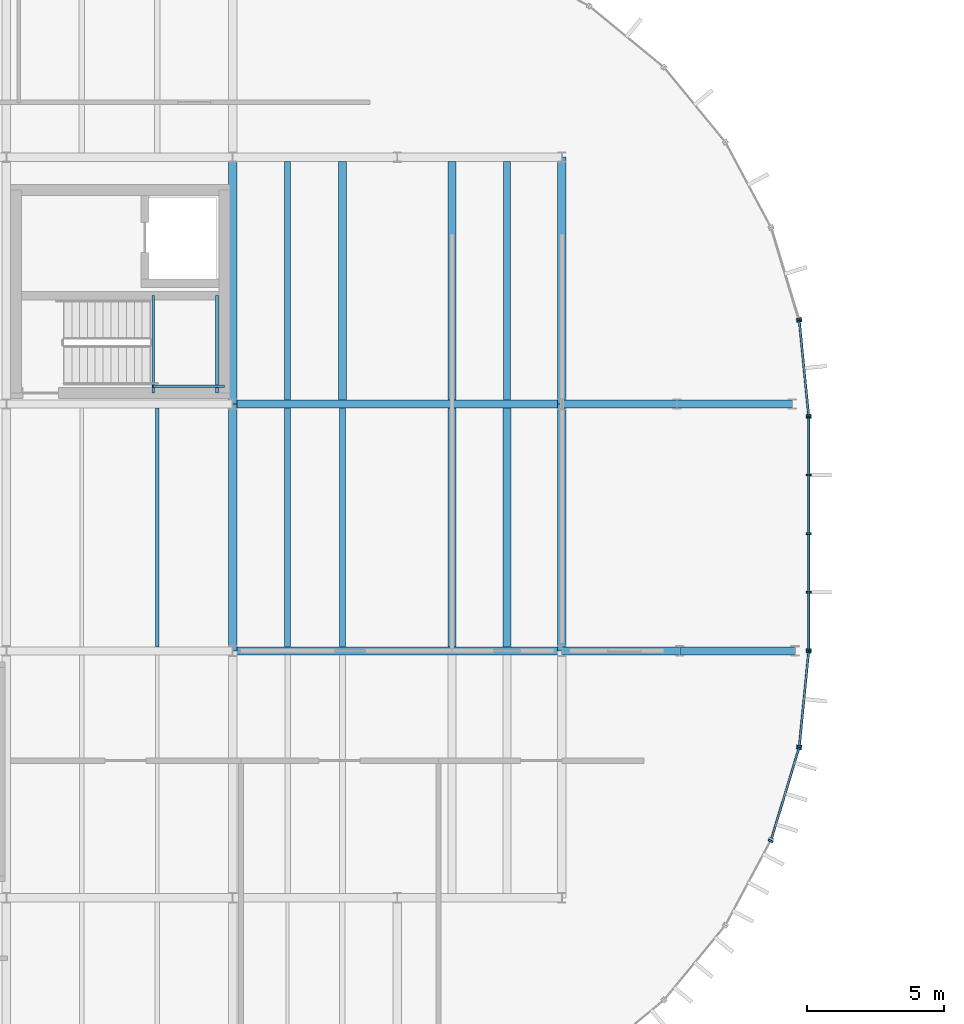
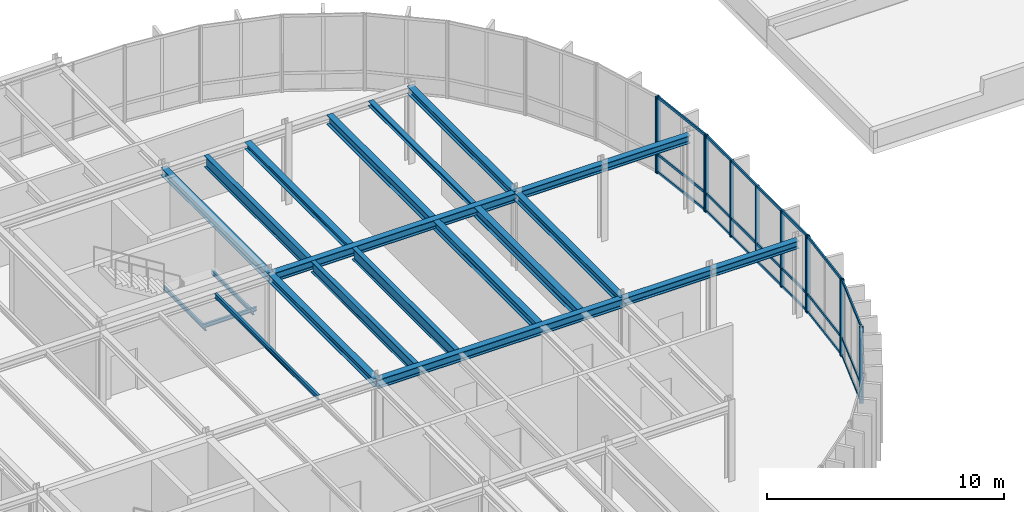
# One storey, part 13 of 31: 24 members, 22 beams, 6 elements without a shape of their own.
"""IFC4 building model written with IfcOpenShell, lengths in metres."""

from ifc_helpers import new_model, si_unit, direction, frame, origin, origin_2d, place, context, subcontext, project, spatial, rectangle, i_section, extrude, material, layer, layer_set, material_profile, profile_set, type_object, element, aggregate, save


model = new_model("IFC4")

# Units and contexts
model_context = context("Model", 3, precision=1e-05, world=origin(), true_north=direction((0.0, 1.0)))
body_context = subcontext(model_context, "Body", "Model", "MODEL_VIEW")
ifc_project = project(units=[si_unit("LENGTHUNIT", "METRE"), si_unit("AREAUNIT", "SQUARE_METRE"), si_unit("VOLUMEUNIT", "CUBIC_METRE"), si_unit("PLANEANGLEUNIT", "RADIAN"), si_unit("MASSUNIT", "GRAM", prefix="KILO")], contexts=[model_context])

# Site, building, storey
site_placement = place(None, origin())
site = spatial("IfcSite", under=ifc_project, at=site_placement, CompositionType="ELEMENT")
building_placement = place(site_placement, origin())
building = spatial("IfcBuilding", under=site, at=building_placement, Name="Montealbar Specialist Clinic", CompositionType="ELEMENT")
storey_placement = place(building_placement, frame((0.0, 0.0, 13.800048828125)))
storey = spatial("IfcBuildingStorey", under=building, at=storey_placement, Name="L03", CompositionType="ELEMENT", Elevation=13.800048828125)

# Beams
ifc_material_1 = material(Name="Steel S355", Category="steel")
ifc_material_profile_1 = material_profile(ifc_material_1, i_section(OverallWidth=0.300048828125, OverallDepth=0.39990234375, WebThickness=0.013427734375, FlangeThickness=0.02392578125, FilletRadius=0.027099609375, at=origin_2d()), Name="HEB 400", Category="steel")
ifc_profile_set_1 = profile_set([ifc_material_profile_1], Name="Steel S355")
beam_type_1 = type_object("IfcBeamType", Name="BM-GIRD-HEB400", PredefinedType="BEAM", material=ifc_profile_set_1)
beam_1_placement = place(storey_placement, frame((111.0, 18.0, 3.739990234375), z_axis=(1.0, 0.0, 0.0), x_axis=(0.0, 1.0, 0.0)))
element("IfcBeam", 1, at=beam_1_placement, inside=storey, type_object=beam_type_1, Name="Beam GX-L03-1110-1153-180", PredefinedType="BEAM", context=body_context, shape_type="SweptSolid", body=[
    extrude(i_section(OverallWidth=0.300048828125, OverallDepth=0.39990234375, WebThickness=0.013427734375, FlangeThickness=0.02392578125, FilletRadius=0.027099609375, at=origin_2d()), origin(), (0.0, 0.0, 1.0), 4.300048828125),
])
for number, where, z_axis, x_axis, name in (
    (2, (115.300048828125, 18.0, 3.739990234375), (1.0, 0.0, 0.0), (0.0, 1.0, 0.0), "Beam GX-L03-1153-1195-180"),
    (3, (111.0, 27.0, 3.739990234375), (1.0, 0.0, 0.0), (0.0, 1.0, 0.0), "Beam GX-L03-1110-1152-270"),
    (4, (115.199951171875, 27.0, 3.739990234375), (1.0, 0.0, 0.0), (0.0, 1.0, 0.0), "Beam GX-L03-1152-1194-270"),
):
    element("IfcBeam", number, at=place(storey_placement, frame(where, z_axis=z_axis, x_axis=x_axis)), inside=storey, type_object=beam_type_1, Name=name, PredefinedType="BEAM", context=body_context, shape_type="SweptSolid", body=[
        extrude(i_section(OverallWidth=0.300048828125, OverallDepth=0.39990234375, WebThickness=0.013427734375, FlangeThickness=0.02392578125, FilletRadius=0.027099609375, at=origin_2d()), origin(), (0.0, 0.0, 1.0), 4.199951171875),
    ])
for number, where, z_axis, x_axis, name in (
    (5, (99.0, 18.0, 3.739990234375), (0.0, 1.0, 0.0), (-1.0, 0.0, 0.0), "Beam GY-L03-990-180-270"),
    (6, (99.0, 27.0, 3.739990234375), (0.0, 1.0, 0.0), (-1.0, 0.0, 0.0), "Beam GY-L03-990-270-360"),
    (7, (111.0, 18.0, 3.739990234375), (0.0, 1.0, 0.0), (-1.0, 0.0, 0.0), "Beam GY-L03-1110-180-270"),
    (8, (111.0, 27.0, 3.739990234375), (0.0, 1.0, 0.0), (-1.0, 0.0, 0.0), "Beam GY-L03-1110-270-360"),
):
    element("IfcBeam", number, at=place(storey_placement, frame(where, z_axis=z_axis, x_axis=x_axis)), inside=storey, type_object=beam_type_1, Name=name, PredefinedType="BEAM", context=body_context, shape_type="SweptSolid", body=[
        extrude(i_section(OverallWidth=0.300048828125, OverallDepth=0.39990234375, WebThickness=0.013427734375, FlangeThickness=0.02392578125, FilletRadius=0.027099609375, at=origin_2d()), origin(), (0.0, 0.0, 1.0), 9.0),
    ])
ifc_material_profile_2 = material_profile(ifc_material_1, i_section(OverallWidth=0.300048828125, OverallDepth=0.449951171875, WebThickness=0.013916015625, FlangeThickness=0.02587890625, FilletRadius=0.027099609375, at=origin_2d()), Name="HEB 450", Category="steel")
ifc_profile_set_2 = profile_set([ifc_material_profile_2], Name="Steel S355")
beam_type_2 = type_object("IfcBeamType", Name="BM-GIRD-HEB450", PredefinedType="BEAM", material=ifc_profile_set_2)
for number, where, z_axis, x_axis, name in (
    (9, (99.0, 18.0, 3.71484375), (1.0, 0.0, 0.0), (0.0, 1.0, 0.0), "Beam GX-L03-990-1110-180"),
    (10, (99.0, 27.0, 3.71484375), (1.0, 0.0, 0.0), (0.0, 1.0, 0.0), "Beam GX-L03-990-1110-270"),
):
    element("IfcBeam", number, at=place(storey_placement, frame(where, z_axis=z_axis, x_axis=x_axis)), inside=storey, type_object=beam_type_2, Name=name, PredefinedType="BEAM", context=body_context, shape_type="SweptSolid", body=[
        extrude(i_section(OverallWidth=0.300048828125, OverallDepth=0.449951171875, WebThickness=0.013916015625, FlangeThickness=0.02587890625, FilletRadius=0.027099609375, at=origin_2d()), origin(), (0.0, 0.0, 1.0), 12.0),
    ])
ifc_material_profile_3 = material_profile(ifc_material_1, i_section(OverallWidth=0.300048828125, OverallDepth=0.35009765625, WebThickness=0.010009765625, FlangeThickness=0.017578125, FilletRadius=0.027099609375, at=origin_2d()), Name="HEA 360", Category="steel")
ifc_profile_set_3 = profile_set([ifc_material_profile_3], Name="Steel S355")
beam_type_3 = type_object("IfcBeamType", Name="BM-JST-HEA360", PredefinedType="JOIST", material=ifc_profile_set_3)
beam_2_placement = place(storey_placement, frame((103.0, 27.14990234375, 3.764892578125), z_axis=(0.0, 1.0, 0.0), x_axis=(-1.0, 0.0, 0.0)))
element("IfcBeam", 11, at=beam_2_placement, inside=storey, type_object=beam_type_3, Name="Beam JST-L03-1030-272-358", PredefinedType="JOIST", context=body_context, shape_type="SweptSolid", body=[
    extrude(i_section(OverallWidth=0.300048828125, OverallDepth=0.35009765625, WebThickness=0.010009765625, FlangeThickness=0.017578125, FilletRadius=0.027099609375, at=origin_2d()), origin(), (0.0, 0.0, 1.0), 8.7001953125),
])
ifc_material_profile_4 = material_profile(ifc_material_1, i_section(OverallWidth=0.300048828125, OverallDepth=0.43994140625, WebThickness=0.011474609375, FlangeThickness=0.02099609375, FilletRadius=0.027099609375, at=origin_2d()), Name="HEA 450", Category="steel")
ifc_profile_set_4 = profile_set([ifc_material_profile_4], Name="Steel S355")
beam_type_4 = type_object("IfcBeamType", Name="BM-JST-HEA450", PredefinedType="JOIST", material=ifc_profile_set_4)
beam_3_placement = place(storey_placement, frame((107.0, 18.14990234375, 3.719970703125), z_axis=(0.0, 1.0, 0.0), x_axis=(-1.0, 0.0, 0.0)))
element("IfcBeam", 12, at=beam_3_placement, inside=storey, type_object=beam_type_4, Name="Beam JST-L03-1070-182-268", PredefinedType="JOIST", context=body_context, shape_type="SweptSolid", body=[
    extrude(i_section(OverallWidth=0.300048828125, OverallDepth=0.43994140625, WebThickness=0.011474609375, FlangeThickness=0.02099609375, FilletRadius=0.027099609375, at=origin_2d()), origin(), (0.0, 0.0, 1.0), 8.7001953125),
])
ifc_material_profile_5 = material_profile(ifc_material_1, i_section(OverallWidth=0.300048828125, OverallDepth=0.489990234375, WebThickness=0.011962890625, FlangeThickness=0.02294921875, FilletRadius=0.027099609375, at=origin_2d()), Name="HEA 500", Category="steel")
ifc_profile_set_5 = profile_set([ifc_material_profile_5], Name="Steel S355")
beam_type_5 = type_object("IfcBeamType", Name="BM-JST-HEA500", PredefinedType="JOIST", material=ifc_profile_set_5)
for number, where, z_axis, x_axis, name in (
    (13, (109.0, 18.14990234375, 3.695068359375), (0.0, 1.0, 0.0), (-1.0, 0.0, 0.0), "Beam JST-L03-1090-182-268"),
    (14, (107.0, 27.14990234375, 3.695068359375), (0.0, 1.0, 0.0), (-1.0, 0.0, 0.0), "Beam JST-L03-1070-272-358"),
):
    element("IfcBeam", number, at=place(storey_placement, frame(where, z_axis=z_axis, x_axis=x_axis)), inside=storey, type_object=beam_type_5, Name=name, PredefinedType="JOIST", context=body_context, shape_type="SweptSolid", body=[
        extrude(i_section(OverallWidth=0.300048828125, OverallDepth=0.489990234375, WebThickness=0.011962890625, FlangeThickness=0.02294921875, FilletRadius=0.027099609375, at=origin_2d()), origin(), (0.0, 0.0, 1.0), 8.7001953125),
    ])
ifc_material_profile_6 = material_profile(ifc_material_1, i_section(OverallWidth=0.239990234375, OverallDepth=0.239990234375, WebThickness=0.010009765625, FlangeThickness=0.01708984375, FilletRadius=0.02099609375, at=origin_2d()), Name="HEB 240", Category="steel")
ifc_profile_set_6 = profile_set([ifc_material_profile_6], Name="Steel S355")
beam_type_6 = type_object("IfcBeamType", Name="BM-JST-HEB240", PredefinedType="JOIST", material=ifc_profile_set_6)
beam_4_placement = place(storey_placement, frame((109.0, 27.14990234375, 3.820068359375), z_axis=(0.0, 1.0, 0.0), x_axis=(-1.0, 0.0, 0.0)))
element("IfcBeam", 15, at=beam_4_placement, inside=storey, type_object=beam_type_6, Name="Beam JST-L03-1090-272-358", PredefinedType="JOIST", context=body_context, shape_type="SweptSolid", body=[
    extrude(i_section(OverallWidth=0.239990234375, OverallDepth=0.239990234375, WebThickness=0.010009765625, FlangeThickness=0.01708984375, FilletRadius=0.02099609375, at=origin_2d()), origin(), (0.0, 0.0, 1.0), 8.7001953125),
])
ifc_material_profile_7 = material_profile(ifc_material_1, i_section(OverallWidth=0.1201171875, OverallDepth=0.239990234375, WebThickness=0.006103515625, FlangeThickness=0.009765625, FilletRadius=0.014892578125, at=origin_2d()), Name="IPE 240", Category="steel")
ifc_profile_set_7 = profile_set([ifc_material_profile_7], Name="Steel S355")
beam_type_7 = type_object("IfcBeamType", Name="BM-JST-IPE240", PredefinedType="JOIST", material=ifc_profile_set_7)
beam_5_placement = place(storey_placement, frame((96.25, 18.14990234375, 3.820068359375), z_axis=(0.0, 1.0, 0.0), x_axis=(-1.0, 0.0, 0.0)))
element("IfcBeam", 16, at=beam_5_placement, inside=storey, type_object=beam_type_7, Name="Beam JST-L03-962-182-268", PredefinedType="JOIST", context=body_context, shape_type="SweptSolid", body=[
    extrude(i_section(OverallWidth=0.1201171875, OverallDepth=0.239990234375, WebThickness=0.006103515625, FlangeThickness=0.009765625, FilletRadius=0.014892578125, at=origin_2d()), origin(), (0.0, 0.0, 1.0), 8.7001953125),
])
ifc_material_profile_8 = material_profile(ifc_material_1, i_section(OverallWidth=0.2099609375, OverallDepth=0.550048828125, WebThickness=0.010986328125, FlangeThickness=0.01708984375, FilletRadius=0.02392578125, at=origin_2d()), Name="IPE 550", Category="steel")
ifc_profile_set_8 = profile_set([ifc_material_profile_8], Name="Steel S355")
beam_type_8 = type_object("IfcBeamType", Name="BM-JST-IPE550", PredefinedType="JOIST", material=ifc_profile_set_8)
beam_6_placement = place(storey_placement, frame((101.0, 18.14990234375, 3.6650390625), z_axis=(0.0, 1.0, 0.0), x_axis=(-1.0, 0.0, 0.0)))
element("IfcBeam", 17, at=beam_6_placement, inside=storey, type_object=beam_type_8, Name="Beam JST-L03-1010-182-268", PredefinedType="JOIST", context=body_context, shape_type="SweptSolid", body=[
    extrude(i_section(OverallWidth=0.2099609375, OverallDepth=0.550048828125, WebThickness=0.010986328125, FlangeThickness=0.01708984375, FilletRadius=0.02392578125, at=origin_2d()), origin(), (0.0, 0.0, 1.0), 8.7001953125),
])
ifc_material_profile_9 = material_profile(ifc_material_1, i_section(OverallWidth=0.219970703125, OverallDepth=0.60009765625, WebThickness=0.011962890625, FlangeThickness=0.01904296875, FilletRadius=0.02392578125, at=origin_2d()), Name="IPE 600", Category="steel")
ifc_profile_set_9 = profile_set([ifc_material_profile_9], Name="Steel S355")
beam_type_9 = type_object("IfcBeamType", Name="BM-JST-IPE600", PredefinedType="JOIST", material=ifc_profile_set_9)
for number, where, z_axis, x_axis, name in (
    (18, (103.0, 18.14990234375, 3.639892578125), (0.0, 1.0, 0.0), (-1.0, 0.0, 0.0), "Beam JST-L03-1030-182-268"),
    (19, (101.0, 27.14990234375, 3.639892578125), (0.0, 1.0, 0.0), (-1.0, 0.0, 0.0), "Beam JST-L03-1010-272-358"),
):
    element("IfcBeam", number, at=place(storey_placement, frame(where, z_axis=z_axis, x_axis=x_axis)), inside=storey, type_object=beam_type_9, Name=name, PredefinedType="JOIST", context=body_context, shape_type="SweptSolid", body=[
        extrude(i_section(OverallWidth=0.219970703125, OverallDepth=0.60009765625, WebThickness=0.011962890625, FlangeThickness=0.01904296875, FilletRadius=0.02392578125, at=origin_2d()), origin(), (0.0, 0.0, 1.0), 8.7001953125),
    ])
ifc_material_profile_10 = material_profile(ifc_material_1, i_section(OverallWidth=0.10009765625, OverallDepth=0.199951171875, WebThickness=0.005615234375, FlangeThickness=0.008544921875, FilletRadius=0.011962890625, at=origin_2d()), Name="IPE 200", Category="steel")
ifc_profile_set_10 = profile_set([ifc_material_profile_10], Name="Steel S355")
beam_type_10 = type_object("IfcBeamType", Name="BM-LINT-IPE200", PredefinedType="LINTEL", material=ifc_profile_set_10)
for number, where, z_axis, x_axis, name in (
    (20, (96.10498046875, 27.39990234375, 1.800048828125), (0.0, 1.0, 0.0), (-1.0, 0.0, 0.0), "Core C5 Stair Landing Beam L03 W"),
    (21, (98.429931640625, 27.39990234375, 1.800048828125), (0.0, 1.0, 0.0), (-1.0, 0.0, 0.0), "Core C5 Stair Landing Beam L03 E"),
):
    element("IfcBeam", number, at=place(storey_placement, frame(where, z_axis=z_axis, x_axis=x_axis)), inside=storey, type_object=beam_type_10, Name=name, PredefinedType="LINTEL", context=body_context, shape_type="SweptSolid", body=[
        extrude(i_section(OverallWidth=0.10009765625, OverallDepth=0.199951171875, WebThickness=0.005615234375, FlangeThickness=0.008544921875, FilletRadius=0.011962890625, at=origin_2d()), origin(), (0.0, 0.0, 1.0), 3.550048828125),
    ])
beam_7_placement = place(storey_placement, frame((96.10498046875, 27.64990234375, 1.800048828125), z_axis=(1.0, 0.0, 0.0), x_axis=(0.0, 1.0, 0.0)))
element("IfcBeam", 22, at=beam_7_placement, inside=storey, type_object=beam_type_10, Name="Core C5 Stair Landing Tie Beam L03", PredefinedType="LINTEL", context=body_context, shape_type="SweptSolid", body=[
    extrude(i_section(OverallWidth=0.10009765625, OverallDepth=0.199951171875, WebThickness=0.005615234375, FlangeThickness=0.008544921875, FilletRadius=0.011962890625, at=origin_2d()), origin(), (0.0, 0.0, 1.0), 2.594970703125),
])

# Curtain wall, member
ifc_material_2 = material(Name="Low-E double glazing", Category="glass")
ifc_layer_1 = layer(ifc_material_2, 0.199951171875, Name="Low-E double glazing", Category="glass")
ifc_layer_set_1 = layer_set([ifc_layer_1], Name="Low-E double glazing")
curtain_wall_type_1 = type_object("IfcCurtainWallType", Name="CW-TYPE-19", PredefinedType="NOTDEFINED", material=ifc_layer_set_1)
curtain_wall_1_placement = place(storey_placement, origin())
curtain_wall_1 = element("IfcCurtainWall", 23, at=curtain_wall_1_placement, inside=storey, type_object=curtain_wall_type_1, Name="Unitised Curtain Wall CW-L03-1186-334-1197-301-138", PredefinedType="NOTDEFINED")
ifc_material_3 = material(Name="Anodised aluminium EN AW-6063", Category="aluminium")
ifc_material_profile_11 = material_profile(ifc_material_3, rectangle(XDim=0.070068359375, YDim=0.179931640625, at=origin_2d()), Name="ALU 70x180", Category="aluminium")
ifc_profile_set_11 = profile_set([ifc_material_profile_11], Name="Anodised aluminium EN AW-6063")
member_type_1 = type_object("IfcMemberType", Name="CW-MUL-200", PredefinedType="MULLION", material=ifc_profile_set_11)
member_1_placement = place(storey_placement, frame((119.64208984375, 30.10009765625, 0.0), z_axis=(0.0, 0.0, 1.0), x_axis=(0.290259134399, -0.956948083701, 0.0)))
member_1 = element("IfcMember", 24, at=member_1_placement, type_object=member_type_1, Name="Curtain Wall Mullion CW-L03-1186-334-1197-301-138-01", PredefinedType="MULLION", context=body_context, shape_type="SweptSolid", body=[
    extrude(rectangle(XDim=0.070068359375, YDim=0.179931640625, at=origin_2d()), origin(), (0.0, 0.0, 1.0), 3.93994140625),
])
aggregate(curtain_wall_1, [member_1])

# Curtain wall, members
curtain_wall_2_placement = place(storey_placement, origin())
curtain_wall_2 = element("IfcCurtainWall", 25, at=curtain_wall_2_placement, inside=storey, type_object=curtain_wall_type_1, Name="Unitised Curtain Wall CW-L03-1197-301-1200-266-138", PredefinedType="NOTDEFINED")
member_2_placement = place(storey_placement, frame((119.657958984375, 30.02197265625, 0.0), z_axis=(0.0, 0.0, 1.0), x_axis=(0.098044697094, -0.995182012183, 0.0)))
member_2 = element("IfcMember", 26, at=member_2_placement, type_object=member_type_1, Name="Curtain Wall Mullion CW-L03-1197-301-1200-266-138-00", PredefinedType="MULLION", context=body_context, shape_type="SweptSolid", body=[
    extrude(rectangle(XDim=0.070068359375, YDim=0.179931640625, at=origin_2d()), origin(), (0.0, 0.0, 1.0), 3.93994140625),
])
member_3_placement = place(storey_placement, frame((119.99609375, 26.590087890625, 0.0), z_axis=(0.0, 0.0, 1.0), x_axis=(0.098044697094, -0.995182012183, 0.0)))
member_3 = element("IfcMember", 27, at=member_3_placement, type_object=member_type_1, Name="Curtain Wall Mullion CW-L03-1197-301-1200-266-138-01", PredefinedType="MULLION", context=body_context, shape_type="SweptSolid", body=[
    extrude(rectangle(XDim=0.070068359375, YDim=0.179931640625, at=origin_2d()), origin(), (0.0, 0.0, 1.0), 3.93994140625),
])

ifc_layer_2 = layer(ifc_material_2, 0.199951171875, Name="Low-E double glazing", Category="glass")
ifc_layer_set_2 = layer_set([ifc_layer_2], Name="Low-E double glazing")
curtain_wall_type_2 = type_object("IfcCurtainWallType", Name="CW-TYPE-21", PredefinedType="NOTDEFINED", material=ifc_layer_set_2)
curtain_wall_3_placement = place(storey_placement, origin())
curtain_wall_3 = element("IfcCurtainWall", 28, at=curtain_wall_3_placement, inside=storey, type_object=curtain_wall_type_2, Name="Unitised Curtain Wall CW-L03-1200-266-1200-180-138", PredefinedType="NOTDEFINED")
member_4_placement = place(storey_placement, frame((120.0, 26.510009765625, 0.0), z_axis=(0.0, 0.0, 1.0), x_axis=(0.0, -1.0, 0.0)))
member_4 = element("IfcMember", 29, at=member_4_placement, type_object=member_type_1, Name="Curtain Wall Mullion CW-L03-1200-266-1200-180-138-00", PredefinedType="MULLION", context=body_context, shape_type="SweptSolid", body=[
    extrude(rectangle(XDim=0.070068359375, YDim=0.179931640625, at=origin_2d()), origin(), (0.0, 0.0, 1.0), 3.93994140625),
])
member_5_placement = place(storey_placement, frame((120.0, 24.4130859375, 0.0), z_axis=(0.0, 0.0, 1.0), x_axis=(0.0, -1.0, 0.0)))
member_5 = element("IfcMember", 30, at=member_5_placement, type_object=member_type_1, Name="Curtain Wall Mullion CW-L03-1200-266-1200-180-138-01", PredefinedType="MULLION", context=body_context, shape_type="SweptSolid", body=[
    extrude(rectangle(XDim=0.070068359375, YDim=0.179931640625, at=origin_2d()), origin(), (0.0, 0.0, 1.0), 3.93994140625),
])
member_6_placement = place(storey_placement, frame((120.0, 22.27490234375, 0.0), z_axis=(0.0, 0.0, 1.0), x_axis=(0.0, -1.0, 0.0)))
member_6 = element("IfcMember", 31, at=member_6_placement, type_object=member_type_1, Name="Curtain Wall Mullion CW-L03-1200-266-1200-180-138-02", PredefinedType="MULLION", context=body_context, shape_type="SweptSolid", body=[
    extrude(rectangle(XDim=0.070068359375, YDim=0.179931640625, at=origin_2d()), origin(), (0.0, 0.0, 1.0), 3.93994140625),
])
member_7_placement = place(storey_placement, frame((120.0, 20.136962890625, 0.0), z_axis=(0.0, 0.0, 1.0), x_axis=(0.0, -1.0, 0.0)))
member_7 = element("IfcMember", 32, at=member_7_placement, type_object=member_type_1, Name="Curtain Wall Mullion CW-L03-1200-266-1200-180-138-03", PredefinedType="MULLION", context=body_context, shape_type="SweptSolid", body=[
    extrude(rectangle(XDim=0.070068359375, YDim=0.179931640625, at=origin_2d()), origin(), (0.0, 0.0, 1.0), 3.93994140625),
])
member_8_placement = place(storey_placement, frame((120.0, 18.0400390625, 0.0), z_axis=(0.0, 0.0, 1.0), x_axis=(0.0, -1.0, 0.0)))
member_8 = element("IfcMember", 33, at=member_8_placement, type_object=member_type_1, Name="Curtain Wall Mullion CW-L03-1200-266-1200-180-138-04", PredefinedType="MULLION", context=body_context, shape_type="SweptSolid", body=[
    extrude(rectangle(XDim=0.070068359375, YDim=0.179931640625, at=origin_2d()), origin(), (0.0, 0.0, 1.0), 3.93994140625),
])

curtain_wall_4_placement = place(storey_placement, origin())
curtain_wall_4 = element("IfcCurtainWall", 34, at=curtain_wall_4_placement, inside=storey, type_object=curtain_wall_type_1, Name="Unitised Curtain Wall CW-L03-1200-180-1197-145-138", PredefinedType="NOTDEFINED")
member_9_placement = place(storey_placement, frame((119.99609375, 17.9599609375, 0.0), z_axis=(0.0, 0.0, 1.0), x_axis=(-0.098044697094, -0.995182012183, 0.0)))
member_9 = element("IfcMember", 35, at=member_9_placement, type_object=member_type_1, Name="Curtain Wall Mullion CW-L03-1200-180-1197-145-138-00", PredefinedType="MULLION", context=body_context, shape_type="SweptSolid", body=[
    extrude(rectangle(XDim=0.070068359375, YDim=0.179931640625, at=origin_2d()), origin(), (0.0, 0.0, 1.0), 3.93994140625),
])
member_10_placement = place(storey_placement, frame((119.657958984375, 14.528076171875, 0.0), z_axis=(0.0, 0.0, 1.0), x_axis=(-0.098044697094, -0.995182012183, 0.0)))
member_10 = element("IfcMember", 36, at=member_10_placement, type_object=member_type_1, Name="Curtain Wall Mullion CW-L03-1200-180-1197-145-138-01", PredefinedType="MULLION", context=body_context, shape_type="SweptSolid", body=[
    extrude(rectangle(XDim=0.070068359375, YDim=0.179931640625, at=origin_2d()), origin(), (0.0, 0.0, 1.0), 3.93994140625),
])

# Curtain wall, member
curtain_wall_5_placement = place(storey_placement, origin())
curtain_wall_5 = element("IfcCurtainWall", 37, at=curtain_wall_5_placement, inside=storey, type_object=curtain_wall_type_1, Name="Unitised Curtain Wall CW-L03-1197-145-1186-111-138", PredefinedType="NOTDEFINED")
member_11_placement = place(storey_placement, frame((119.64208984375, 14.449951171875, 0.0), z_axis=(0.0, 0.0, 1.0), x_axis=(-0.290259134399, -0.956948083701, 0.0)))
member_11 = element("IfcMember", 38, at=member_11_placement, type_object=member_type_1, Name="Curtain Wall Mullion CW-L03-1197-145-1186-111-138-00", PredefinedType="MULLION", context=body_context, shape_type="SweptSolid", body=[
    extrude(rectangle(XDim=0.070068359375, YDim=0.179931640625, at=origin_2d()), origin(), (0.0, 0.0, 1.0), 3.93994140625),
])

curtain_wall_6_placement = place(storey_placement, origin())
curtain_wall_6 = element("IfcCurtainWall", 39, at=curtain_wall_6_placement, inside=storey, type_object=curtain_wall_type_1, Name="Unitised Curtain Wall CW-L03-1186-111-1170-80-138", PredefinedType="NOTDEFINED")
member_12_placement = place(storey_placement, frame((118.611083984375, 11.076904296875, 0.0), z_axis=(0.0, 0.0, 1.0), x_axis=(-0.471529268958, -0.881850411644, 0.0)))
member_12 = element("IfcMember", 40, at=member_12_placement, type_object=member_type_1, Name="Curtain Wall Mullion CW-L03-1186-111-1170-80-138-00", PredefinedType="MULLION", context=body_context, shape_type="SweptSolid", body=[
    extrude(rectangle(XDim=0.070068359375, YDim=0.179931640625, at=origin_2d()), origin(), (0.0, 0.0, 1.0), 3.93994140625),
])
aggregate(curtain_wall_6, [member_12])

# Member
ifc_material_4 = material(Name="Powder-coated aluminium", Category="aluminium")
ifc_material_profile_12 = material_profile(ifc_material_4, rectangle(XDim=0.070068359375, YDim=0.139892578125, at=origin_2d()), Name="ALU 70x140", Category="aluminium")
ifc_profile_set_12 = profile_set([ifc_material_profile_12], Name="Powder-coated aluminium")
member_type_2 = type_object("IfcMemberType", Name="CW-TRN-140", PredefinedType="USERDEFINED", material=ifc_profile_set_12)
member_13_placement = place(storey_placement, frame((119.658935546875, 30.011962890625, 0.0400390625), z_axis=(0.098058232162, -0.995180678623, 0.0), x_axis=(0.995180678623, 0.098058232162, 0.0)))
member_13 = element("IfcMember", 41, at=member_13_placement, type_object=member_type_2, Name="Curtain Wall Transom CW-L03-1197-301-1200-266-138-00", ObjectType="TRANSOM", PredefinedType="USERDEFINED", context=body_context, shape_type="SweptSolid", body=[
    extrude(rectangle(XDim=0.070068359375, YDim=0.139892578125, at=origin_2d()), origin(), (0.0, 0.0, 1.0), 3.428466796875),
])

member_14_placement = place(storey_placement, frame((119.658935546875, 30.011962890625, 0.949951171875), z_axis=(0.098058232162, -0.995180678623, 0.0), x_axis=(0.995180678623, 0.098058232162, 0.0)))
member_14 = element("IfcMember", 42, at=member_14_placement, type_object=member_type_2, Name="Curtain Wall Transom CW-L03-1197-301-1200-266-138-01", ObjectType="TRANSOM", PredefinedType="USERDEFINED", context=body_context, shape_type="SweptSolid", body=[
    extrude(rectangle(XDim=0.070068359375, YDim=0.139892578125, at=origin_2d()), origin(), (0.0, 0.0, 1.0), 3.428466796875),
])

member_15_placement = place(storey_placement, frame((119.658935546875, 30.011962890625, 3.89990234375), z_axis=(0.098058232162, -0.995180678623, 0.0), x_axis=(0.995180678623, 0.098058232162, 0.0)))
member_15 = element("IfcMember", 43, at=member_15_placement, type_object=member_type_2, Name="Curtain Wall Transom CW-L03-1197-301-1200-266-138-02", ObjectType="TRANSOM", PredefinedType="USERDEFINED", context=body_context, shape_type="SweptSolid", body=[
    extrude(rectangle(XDim=0.070068359375, YDim=0.139892578125, at=origin_2d()), origin(), (0.0, 0.0, 1.0), 3.428466796875),
])

aggregate(curtain_wall_2, [member_2, member_3, member_13, member_14, member_15])

member_16_placement = place(storey_placement, frame((120.0, 26.5, 0.0400390625), z_axis=(0.0, -1.0, 0.0), x_axis=(1.0, 0.0, 0.0)))
member_16 = element("IfcMember", 44, at=member_16_placement, type_object=member_type_2, Name="Curtain Wall Transom CW-L03-1200-266-1200-180-138-00", ObjectType="TRANSOM", PredefinedType="USERDEFINED", context=body_context, shape_type="SweptSolid", body=[
    extrude(rectangle(XDim=0.070068359375, YDim=0.139892578125, at=origin_2d()), origin(), (0.0, 0.0, 1.0), 8.449951171875),
])

member_17_placement = place(storey_placement, frame((120.0, 26.5, 0.949951171875), z_axis=(0.0, -1.0, 0.0), x_axis=(1.0, 0.0, 0.0)))
member_17 = element("IfcMember", 45, at=member_17_placement, type_object=member_type_2, Name="Curtain Wall Transom CW-L03-1200-266-1200-180-138-01", ObjectType="TRANSOM", PredefinedType="USERDEFINED", context=body_context, shape_type="SweptSolid", body=[
    extrude(rectangle(XDim=0.070068359375, YDim=0.139892578125, at=origin_2d()), origin(), (0.0, 0.0, 1.0), 8.449951171875),
])

member_18_placement = place(storey_placement, frame((120.0, 26.5, 3.89990234375), z_axis=(0.0, -1.0, 0.0), x_axis=(1.0, 0.0, 0.0)))
member_18 = element("IfcMember", 46, at=member_18_placement, type_object=member_type_2, Name="Curtain Wall Transom CW-L03-1200-266-1200-180-138-02", ObjectType="TRANSOM", PredefinedType="USERDEFINED", context=body_context, shape_type="SweptSolid", body=[
    extrude(rectangle(XDim=0.070068359375, YDim=0.139892578125, at=origin_2d()), origin(), (0.0, 0.0, 1.0), 8.449951171875),
])

aggregate(curtain_wall_3, [member_4, member_5, member_6, member_7, member_8, member_16, member_17, member_18])

member_19_placement = place(storey_placement, frame((119.9951171875, 17.949951171875, 0.0400390625), z_axis=(-0.098058232162, -0.995180678623, 0.0), x_axis=(0.995180678623, -0.098058232162, 0.0)))
member_19 = element("IfcMember", 47, at=member_19_placement, type_object=member_type_2, Name="Curtain Wall Transom CW-L03-1200-180-1197-145-138-00", ObjectType="TRANSOM", PredefinedType="USERDEFINED", context=body_context, shape_type="SweptSolid", body=[
    extrude(rectangle(XDim=0.070068359375, YDim=0.139892578125, at=origin_2d()), origin(), (0.0, 0.0, 1.0), 3.428466796875),
])

member_20_placement = place(storey_placement, frame((119.9951171875, 17.949951171875, 0.949951171875), z_axis=(-0.098058232162, -0.995180678623, 0.0), x_axis=(0.995180678623, -0.098058232162, 0.0)))
member_20 = element("IfcMember", 48, at=member_20_placement, type_object=member_type_2, Name="Curtain Wall Transom CW-L03-1200-180-1197-145-138-01", ObjectType="TRANSOM", PredefinedType="USERDEFINED", context=body_context, shape_type="SweptSolid", body=[
    extrude(rectangle(XDim=0.070068359375, YDim=0.139892578125, at=origin_2d()), origin(), (0.0, 0.0, 1.0), 3.428466796875),
])

member_21_placement = place(storey_placement, frame((119.9951171875, 17.949951171875, 3.89990234375), z_axis=(-0.098058232162, -0.995180678623, 0.0), x_axis=(0.995180678623, -0.098058232162, 0.0)))
member_21 = element("IfcMember", 49, at=member_21_placement, type_object=member_type_2, Name="Curtain Wall Transom CW-L03-1200-180-1197-145-138-02", ObjectType="TRANSOM", PredefinedType="USERDEFINED", context=body_context, shape_type="SweptSolid", body=[
    extrude(rectangle(XDim=0.070068359375, YDim=0.139892578125, at=origin_2d()), origin(), (0.0, 0.0, 1.0), 3.428466796875),
])

aggregate(curtain_wall_4, [member_9, member_10, member_19, member_20, member_21])

member_22_placement = place(storey_placement, frame((119.638916015625, 14.43994140625, 0.0400390625), z_axis=(-0.289993555849, -0.957028598092, 0.0), x_axis=(0.957028598092, -0.289993555849, 0.0)))
member_22 = element("IfcMember", 50, at=member_22_placement, type_object=member_type_2, Name="Curtain Wall Transom CW-L03-1197-145-1186-111-138-00", ObjectType="TRANSOM", PredefinedType="USERDEFINED", context=body_context, shape_type="SweptSolid", body=[
    extrude(rectangle(XDim=0.070068359375, YDim=0.139892578125, at=origin_2d()), origin(), (0.0, 0.0, 1.0), 3.42724609375),
])

member_23_placement = place(storey_placement, frame((119.638916015625, 14.43994140625, 0.949951171875), z_axis=(-0.289993555849, -0.957028598092, 0.0), x_axis=(0.957028598092, -0.289993555849, 0.0)))
member_23 = element("IfcMember", 51, at=member_23_placement, type_object=member_type_2, Name="Curtain Wall Transom CW-L03-1197-145-1186-111-138-01", ObjectType="TRANSOM", PredefinedType="USERDEFINED", context=body_context, shape_type="SweptSolid", body=[
    extrude(rectangle(XDim=0.070068359375, YDim=0.139892578125, at=origin_2d()), origin(), (0.0, 0.0, 1.0), 3.42724609375),
])

member_24_placement = place(storey_placement, frame((119.638916015625, 14.43994140625, 3.89990234375), z_axis=(-0.289993555849, -0.957028598092, 0.0), x_axis=(0.957028598092, -0.289993555849, 0.0)))
member_24 = element("IfcMember", 52, at=member_24_placement, type_object=member_type_2, Name="Curtain Wall Transom CW-L03-1197-145-1186-111-138-02", ObjectType="TRANSOM", PredefinedType="USERDEFINED", context=body_context, shape_type="SweptSolid", body=[
    extrude(rectangle(XDim=0.070068359375, YDim=0.139892578125, at=origin_2d()), origin(), (0.0, 0.0, 1.0), 3.42724609375),
])

aggregate(curtain_wall_5, [member_11, member_22, member_23, member_24])

save(model, "model.ifc")
